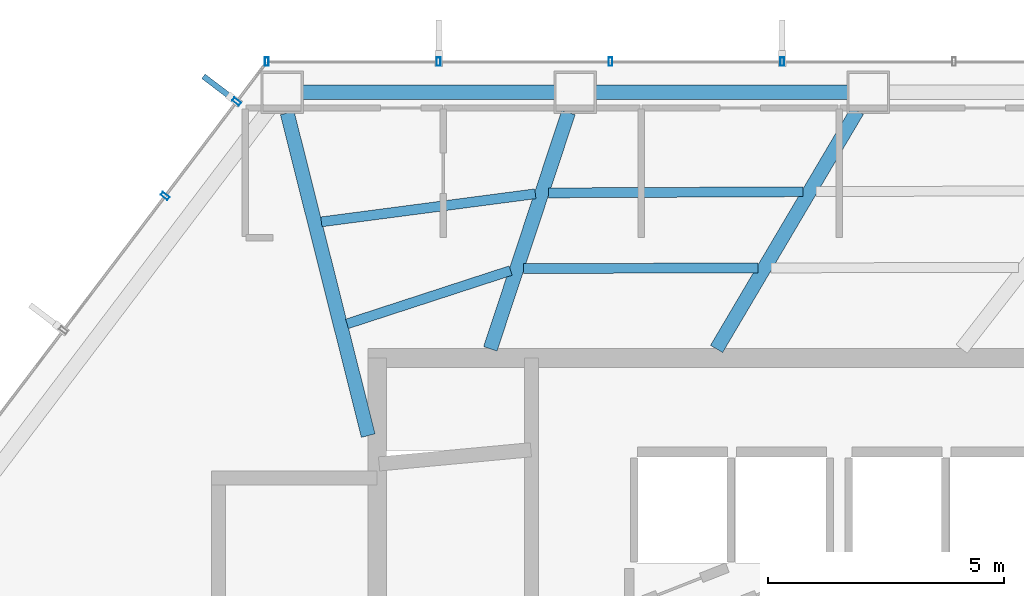
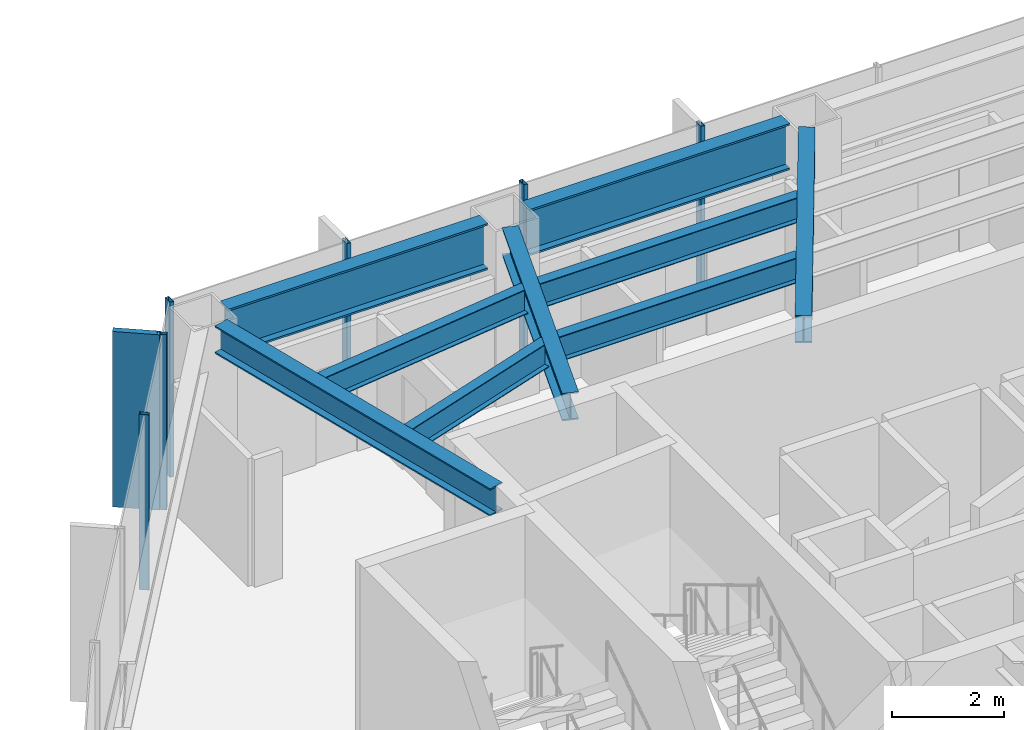
# One storey, part 11 of 24: 9 beams, 7 members, 2 elements without a shape of their own.
"""IFC4 building model written with IfcOpenShell, lengths in metres."""

import ifcopenshell
import ifcopenshell.guid

model = None  # the IFC model being written
_history = None  # IfcOwnerHistory: only IFC2X3 demands one
_inside = {}  # id of a spatial element -> (the spatial element, [elements in it])
_under = {}  # id of a project, library or spatial element -> (it, [spatial elements below it])
_declared = {}  # id of a project -> (the project, [libraries it declares])
_typed = {}  # id of a type object -> (the type object, [elements of that type])
_made_of = {}  # id of a material, layer set ... -> (it, [elements and type objects made of it])


def new_model(schema):
    """Start an empty IFC model of exactly this schema.

    Asked for "IFC4X3", IfcOpenShell would pick the latest addendum, in which some entities
    have other attributes; the version numbers below select the first issue.
    IFC2X3 requires an IfcOwnerHistory on every rooted entity: one is made here for all.
    """
    global model, _history
    if schema == "IFC4X3":
        model = ifcopenshell.file(schema_version=(4, 3, 0, 0))
    else:
        model = ifcopenshell.file(schema=schema)
    _inside.clear()
    _under.clear()
    _declared.clear()
    _typed.clear()
    _made_of.clear()
    _history = None
    if model.schema == "IFC2X3":
        org = make("IfcOrganization", Name="unknown")
        user = make(
            "IfcPersonAndOrganization",
            ThePerson=make("IfcPerson", FamilyName="unknown"),
            TheOrganization=org,
        )
        app = make(
            "IfcApplication",
            ApplicationDeveloper=org,
            Version="unknown",
            ApplicationFullName="unknown",
            ApplicationIdentifier="unknown",
        )
        _history = make(
            "IfcOwnerHistory",
            OwningUser=user,
            OwningApplication=app,
            ChangeAction="ADDED",
            CreationDate=0,
        )
    return model


def make(cls, **values):
    """One entity of the class cls with the attributes given. An attribute that is None is left unset."""
    return model.create_entity(
        cls, **{name: value for name, value in values.items() if value is not None}
    )


def rooted(cls, **values):
    """An entity with a GlobalId (a new one), such as an element, a storey or a relation."""
    return make(cls, GlobalId=ifcopenshell.guid.new(), OwnerHistory=_history, **values)


def si_unit(unit_type, name, prefix=None):
    """IfcSIUnit, for example si_unit("LENGTHUNIT", "METRE", prefix="MILLI")."""
    return make("IfcSIUnit", UnitType=unit_type, Prefix=prefix, Name=name)


def assignment(units):
    """IfcUnitAssignment: the units of a project."""
    return None if units is None else make("IfcUnitAssignment", Units=units)


def point(xyz):
    """IfcCartesianPoint."""
    return None if xyz is None else make("IfcCartesianPoint", Coordinates=xyz)


def direction(xyz):
    """IfcDirection."""
    return None if xyz is None else make("IfcDirection", DirectionRatios=xyz)


def frame(location, z_axis=None, x_axis=None):
    """IfcAxis2Placement3D, a coordinate frame: its origin and axes. An axis left out is left unset."""
    return make(
        "IfcAxis2Placement3D",
        Location=point(location),
        Axis=direction(z_axis),
        RefDirection=direction(x_axis),
    )


def frame_2d(location, x_axis=None):
    """IfcAxis2Placement2D, a coordinate frame in the plane: its origin and x axis."""
    return make(
        "IfcAxis2Placement2D", Location=point(location), RefDirection=direction(x_axis)
    )


def origin():
    """The frame at (0, 0, 0) with its axes left unset."""
    return frame((0.0, 0.0, 0.0))


def origin_2d():
    """The frame at (0, 0) in the plane with its x axis left unset."""
    return frame_2d((0.0, 0.0))


def place(relative_to, where):
    """IfcLocalPlacement: puts the frame where relative to a parent placement (None: the world)."""
    return make(
        "IfcLocalPlacement", PlacementRelTo=relative_to, RelativePlacement=where
    )


def context(
    kind, dimensions, precision=None, world=None, true_north=None, identifier=None
):
    """IfcGeometricRepresentationContext, for example the 3D "Model" context."""
    return make(
        "IfcGeometricRepresentationContext",
        ContextIdentifier=identifier,
        ContextType=kind,
        CoordinateSpaceDimension=dimensions,
        Precision=precision,
        WorldCoordinateSystem=world,
        TrueNorth=true_north,
    )


def subcontext(parent, identifier, kind, view, scale=None):
    """IfcGeometricRepresentationSubContext, for example "Body" below "Model"."""
    return make(
        "IfcGeometricRepresentationSubContext",
        ContextIdentifier=identifier,
        ContextType=kind,
        ParentContext=parent,
        TargetScale=scale,
        TargetView=view,
    )


def project(units=None, contexts=None):
    """IfcProject with its units and contexts."""
    return rooted(
        "IfcProject",
        Name="project",
        RepresentationContexts=contexts,
        UnitsInContext=assignment(units),
    )


def spatial(cls, under=None, at=None, **own):
    """A site, building, storey or space (cls), placed at a placement, below another one or the project."""
    s = rooted(cls, ObjectPlacement=at, **own)
    if under is not None:
        _under.setdefault(under.id(), (under, []))[1].append(s)
    return s


def profile(cls, at=None, kind="AREA", **sizes):
    """A parametric profile (cls). Its sizes go by their IFC names, for example OverallWidth=200.0."""
    return make(cls, ProfileType=kind, Position=at, **sizes)


def rectangle(**sizes):
    """IfcRectangleProfileDef."""
    return profile("IfcRectangleProfileDef", **sizes)


def hollow_rectangle(**sizes):
    """IfcRectangleHollowProfileDef."""
    return profile("IfcRectangleHollowProfileDef", **sizes)


def i_section(**sizes):
    """IfcIShapeProfileDef."""
    return profile("IfcIShapeProfileDef", **sizes)


def extrude(swept, where, along, depth):
    """IfcExtrudedAreaSolid: the profile swept, set in the frame where, extruded along a direction by depth."""
    return make(
        "IfcExtrudedAreaSolid",
        SweptArea=swept,
        Position=where,
        ExtrudedDirection=direction(along),
        Depth=depth,
    )


def shape(context_of_items, identifier, shape_type, items):
    """IfcShapeRepresentation: the items that make up one representation, for example the "Body"."""
    return make(
        "IfcShapeRepresentation",
        ContextOfItems=context_of_items,
        RepresentationIdentifier=identifier,
        RepresentationType=shape_type,
        Items=items,
    )


def material(Name=None, Category=None):
    """IfcMaterial."""
    return make("IfcMaterial", Name=Name, Category=Category)


def layer(
    of_material, thickness, ventilated=None, Name=None, Category=None, Priority=None
):
    """IfcMaterialLayer: one layer of a wall or slab, of a material (None: an air gap)."""
    return make(
        "IfcMaterialLayer",
        Material=of_material,
        LayerThickness=thickness,
        IsVentilated=ventilated,
        Name=Name,
        Category=Category,
        Priority=Priority,
    )


def layer_set(layers, Name=None):
    """IfcMaterialLayerSet."""
    return make("IfcMaterialLayerSet", MaterialLayers=layers, LayerSetName=Name)


def material_profile(
    of_material, cross_section, Name=None, Category=None, Priority=None
):
    """IfcMaterialProfile: a cross section and its material."""
    return make(
        "IfcMaterialProfile",
        Name=Name,
        Material=of_material,
        Profile=cross_section,
        Priority=Priority,
        Category=Category,
    )


def profile_set(profiles, Name=None, composite=None):
    """IfcMaterialProfileSet."""
    return make(
        "IfcMaterialProfileSet",
        Name=Name,
        MaterialProfiles=profiles,
        CompositeProfile=composite,
    )


def made_of(thing, what):
    """Note that an element or type object is made of a material, layer set ...; save() writes the relation."""
    if what is not None:
        _made_of.setdefault(what.id(), (what, []))[1].append(thing)
    return thing


def type_object(cls, material=None, **own):
    """A type object (cls), such as IfcWallType, which elements share."""
    return made_of(rooted(cls, **own), material)


def element(
    cls,
    number,
    at=None,
    inside=None,
    cuts=None,
    type_object=None,
    material=None,
    context=None,
    identifier="Body",
    shape_type=None,
    held_by="IfcProductDefinitionShape",
    body=None,
    shapes=None,
    **own,
):
    """One element of the class cls, such as IfcWall. Its Tag is "e" and its number.

    at: its placement. inside: the storey or other place that contains it. cuts: it is an
    opening in that element (IfcRelVoidsElement). A single representation is given by context,
    identifier, shape_type and body (its items); several are given by shapes. held_by: the class
    of the entity that holds the representations. save() writes the other relations.
    """
    e = rooted(cls, Tag="e%d" % number, ObjectPlacement=at, **own)
    if body is not None:
        shapes = [shape(context, identifier, shape_type, body)]
    if shapes is not None:
        e.Representation = make(held_by, Representations=shapes)
    if inside is not None:
        _inside.setdefault(inside.id(), (inside, []))[1].append(e)
    if cuts is not None:
        rooted(
            "IfcRelVoidsElement", RelatingBuildingElement=cuts, RelatedOpeningElement=e
        )
    if type_object is not None:
        _typed.setdefault(type_object.id(), (type_object, []))[1].append(e)
    return made_of(e, material)


def aggregate(whole, parts):
    """IfcRelAggregates: a whole, such as a stair, and the parts it consists of."""
    return rooted("IfcRelAggregates", RelatingObject=whole, RelatedObjects=parts)


def save(model, path):
    """Write the relations noted so far, then the file.

    IfcRelAggregates (storeys below a building ...), IfcRelContainedInSpatialStructure (elements
    in a storey), IfcRelDefinesByType, IfcRelAssociatesMaterial and IfcRelDeclares: one each for
    every whole, place, type object, material and project.
    """
    for whole, parts in _under.values():
        aggregate(whole, parts)
    for where, things in _inside.values():
        rooted(
            "IfcRelContainedInSpatialStructure",
            RelatedElements=things,
            RelatingStructure=where,
        )
    for kind, things in _typed.values():
        rooted("IfcRelDefinesByType", RelatedObjects=things, RelatingType=kind)
    for what, things in _made_of.values():
        rooted("IfcRelAssociatesMaterial", RelatedObjects=things, RelatingMaterial=what)
    for by, libraries in _declared.values():
        rooted("IfcRelDeclares", RelatingContext=by, RelatedDefinitions=libraries)
    model.write(path)


model = new_model("IFC4")

# Units and contexts
model_context = context("Model", 3, precision=1e-05, world=origin(), true_north=direction((0.0, 1.0)))
body_context = subcontext(model_context, "Body", "Model", "MODEL_VIEW")
ifc_project = project(units=[si_unit("LENGTHUNIT", "METRE"), si_unit("AREAUNIT", "SQUARE_METRE"), si_unit("VOLUMEUNIT", "CUBIC_METRE"), si_unit("PLANEANGLEUNIT", "RADIAN"), si_unit("MASSUNIT", "GRAM", prefix="KILO")], contexts=[model_context])

# Site, building, storey
site_placement = place(None, origin())
site = spatial("IfcSite", under=ifc_project, at=site_placement, CompositionType="ELEMENT")
building_placement = place(site_placement, origin())
building = spatial("IfcBuilding", under=site, at=building_placement, Name="Zarrinselat Tower", CompositionType="ELEMENT")
storey_placement = place(building_placement, frame((0.0, 0.0, 76.5)))
storey = spatial("IfcBuildingStorey", under=building, at=storey_placement, Name="L18", CompositionType="ELEMENT", Elevation=76.5)

# Beams
ifc_material_1 = material(Name="Steel S355J2", Category="steel")
ifc_material_profile_1 = material_profile(ifc_material_1, i_section(OverallWidth=0.300048828125, OverallDepth=0.60009765625, WebThickness=0.015380859375, FlangeThickness=0.030029296875, at=origin_2d()), Name="HEB 600")
ifc_profile_set_1 = profile_set([ifc_material_profile_1], Name="Steel S355J2")
beam_type_1 = type_object("IfcBeamType", Name="BM-HEB600", PredefinedType="BEAM", material=ifc_profile_set_1)
beam_1_placement = place(storey_placement, frame((35.800048828125, 43.639892578125, 3.52001953125), z_axis=(0.508790955784, 0.860890099439, 0.0), x_axis=(-0.860890099439, 0.508790955784, 0.0)))
element("IfcBeam", 1, at=beam_1_placement, inside=storey, type_object=beam_type_1, Name="L18 Radial Primary Girder RG03", PredefinedType="BEAM", context=body_context, shape_type="SweptSolid", body=[
    extrude(i_section(OverallWidth=0.300048828125, OverallDepth=0.60009765625, WebThickness=0.015380859375, FlangeThickness=0.030029296875, at=origin_2d()), origin(), (0.0, 0.0, 1.0), 5.870849609375),
])
beam_2_placement = place(storey_placement, frame((31.0, 43.639892578125, 3.52001953125), z_axis=(0.313813504101, 0.949484641605, 0.0), x_axis=(-0.949484641605, 0.313813504101, 0.0)))
element("IfcBeam", 2, at=beam_2_placement, inside=storey, type_object=beam_type_1, Name="L18 Radial Primary Girder RG04", PredefinedType="BEAM", context=body_context, shape_type="SweptSolid", body=[
    extrude(i_section(OverallWidth=0.300048828125, OverallDepth=0.60009765625, WebThickness=0.015380859375, FlangeThickness=0.030029296875, at=origin_2d()), origin(), (0.0, 0.0, 1.0), 5.281005859375),
])
beam_3_placement = place(storey_placement, frame((26.69140625, 48.64501953125, 3.52001953125), z_axis=(0.243504124048, -0.96989986162, 0.0), x_axis=(0.96989986162, 0.243504124048, 0.0)))
element("IfcBeam", 3, at=beam_3_placement, inside=storey, type_object=beam_type_1, Name="L18 Radial Primary Girder RG05", PredefinedType="BEAM", context=body_context, shape_type="SweptSolid", body=[
    extrude(i_section(OverallWidth=0.300048828125, OverallDepth=0.60009765625, WebThickness=0.015380859375, FlangeThickness=0.030029296875, at=origin_2d()), origin(), (0.0, 0.0, 1.0), 7.057373046875),
])
ifc_material_2 = material(Name="Steel S460M", Category="steel")
ifc_material_profile_2 = material_profile(ifc_material_2, i_section(OverallWidth=0.302001953125, OverallDepth=1.008056640625, WebThickness=0.02099609375, FlangeThickness=0.0400390625, at=origin_2d()), Name="HEM 1000")
ifc_profile_set_2 = profile_set([ifc_material_profile_2], Name="Steel S460M")
beam_type_2 = type_object("IfcBeamType", Name="BM-HEM1000", PredefinedType="BEAM", material=ifc_profile_set_2)
for number, where, z_axis, x_axis, name in (
    (4, (33.2373046875, 49.083251953125, 3.31591796875), (1.0, 0.0, 0.0), (0.0, 1.0, 0.0), "L18 Perimeter Spandrel Girder SP03"),
    (5, (27.019287109375, 49.083251953125, 3.31591796875), (1.0, 0.0, 0.0), (0.0, 1.0, 0.0), "L18 Perimeter Spandrel Girder SP04"),
):
    element("IfcBeam", number, at=place(storey_placement, frame(where, z_axis=z_axis, x_axis=x_axis)), inside=storey, type_object=beam_type_2, Name=name, PredefinedType="BEAM", context=body_context, shape_type="SweptSolid", body=[
        extrude(i_section(OverallWidth=0.302001953125, OverallDepth=1.008056640625, WebThickness=0.02099609375, FlangeThickness=0.0400390625, at=origin_2d()), origin(), (0.0, 0.0, 1.0), 5.341796875),
    ])
ifc_material_3 = material(Name="Steel S355J2", Category="steel")
ifc_material_profile_3 = material_profile(ifc_material_3, i_section(OverallWidth=0.2099609375, OverallDepth=0.550048828125, WebThickness=0.010986328125, FlangeThickness=0.01708984375, at=origin_2d()), Name="IPE 550")
ifc_profile_set_3 = profile_set([ifc_material_profile_3], Name="Steel S355J2")
beam_type_3 = type_object("IfcBeamType", Name="BM-IPE550", PredefinedType="JOIST", material=ifc_profile_set_3)
beam_4_placement = place(storey_placement, frame((32.23388671875, 46.949951171875, 3.544921875), z_axis=(0.999989148265, 0.004658685706, 0.0), x_axis=(-0.004658685706, 0.999989148265, 0.0)))
element("IfcBeam", 6, at=beam_4_placement, inside=storey, type_object=beam_type_3, Name="L18 Composite Floor Joist 9-1", PredefinedType="JOIST", context=body_context, shape_type="SweptSolid", body=[
    extrude(i_section(OverallWidth=0.2099609375, OverallDepth=0.550048828125, WebThickness=0.010986328125, FlangeThickness=0.01708984375, at=origin_2d()), origin(), (0.0, 0.0, 1.0), 5.397705078125),
])
beam_5_placement = place(storey_placement, frame((31.70361328125, 45.34521484375, 3.544921875), z_axis=(0.999996613503, 0.002602495483, 0.0), x_axis=(-0.002602495483, 0.999996613503, 0.0)))
element("IfcBeam", 7, at=beam_5_placement, inside=storey, type_object=beam_type_3, Name="L18 Composite Floor Joist 9-2", PredefinedType="JOIST", context=body_context, shape_type="SweptSolid", body=[
    extrude(i_section(OverallWidth=0.2099609375, OverallDepth=0.550048828125, WebThickness=0.010986328125, FlangeThickness=0.01708984375, at=origin_2d()), origin(), (0.0, 0.0, 1.0), 4.971923828125),
])
beam_6_placement = place(storey_placement, frame((27.41455078125, 46.335693359375, 3.544921875), z_axis=(0.991510094003, 0.130029740793, 0.0), x_axis=(-0.130029740793, 0.991510094003, 0.0)))
element("IfcBeam", 8, at=beam_6_placement, inside=storey, type_object=beam_type_3, Name="L18 Composite Floor Joist 10-1", PredefinedType="JOIST", context=body_context, shape_type="SweptSolid", body=[
    extrude(i_section(OverallWidth=0.2099609375, OverallDepth=0.550048828125, WebThickness=0.010986328125, FlangeThickness=0.01708984375, at=origin_2d()), origin(), (0.0, 0.0, 1.0), 4.579345703125),
])
beam_7_placement = place(storey_placement, frame((27.958740234375, 44.170654296875, 3.544921875), z_axis=(0.950827477047, 0.30972101784, 0.0), x_axis=(-0.30972101784, 0.950827477047, 0.0)))
element("IfcBeam", 9, at=beam_7_placement, inside=storey, type_object=beam_type_3, Name="L18 Composite Floor Joist 10-2", PredefinedType="JOIST", context=body_context, shape_type="SweptSolid", body=[
    extrude(i_section(OverallWidth=0.2099609375, OverallDepth=0.550048828125, WebThickness=0.010986328125, FlangeThickness=0.01708984375, at=origin_2d()), origin(), (0.0, 0.0, 1.0), 3.651123046875),
])

# Curtain wall, members
ifc_material_4 = material(Name="Extruded Aluminium Alloy EN AW-6063 T6", Category="aluminium")
ifc_layer = layer(ifc_material_4, 0.18505859375)
ifc_layer_set = layer_set([ifc_layer], Name="Extruded Aluminium Alloy EN AW-6063 T6")
curtain_wall_type = type_object("IfcCurtainWallType", Name="CWS-OFF", PredefinedType="NOTDEFINED", material=ifc_layer_set)
curtain_wall_1_placement = place(storey_placement, origin())
curtain_wall_1 = element("IfcCurtainWall", 10, at=curtain_wall_1_placement, inside=storey, type_object=curtain_wall_type, Name="L18 Unitised Curtain Wall CW-L18-E01", PredefinedType="NOTDEFINED")
ifc_material_5 = material(Name="Extruded Aluminium Alloy EN AW-6063 T6", Category="aluminium")
ifc_material_profile_4 = material_profile(ifc_material_5, hollow_rectangle(XDim=0.080078125, YDim=0.179931640625, WallThickness=0.0048828125, at=origin_2d()), Name="RHS 180x80x5")
ifc_profile_set_4 = profile_set([ifc_material_profile_4], Name="Extruded Aluminium Alloy EN AW-6063 T6")
member_type_1 = type_object("IfcMemberType", Name="MEM-CW-MUL", PredefinedType="MULLION", material=ifc_profile_set_4)
member_1_placement = place(storey_placement, frame((37.194580078125, 49.7333984375, 0.0), z_axis=(0.0, 0.0, 1.0), x_axis=(-1.0, 0.0, 0.0)))
member_1 = element("IfcMember", 11, at=member_1_placement, type_object=member_type_1, Name="CW-L18-E01 Mullion 5", PredefinedType="MULLION", context=body_context, shape_type="SweptSolid", body=[
    extrude(hollow_rectangle(XDim=0.080078125, YDim=0.179931640625, WallThickness=0.0048828125, at=origin_2d()), origin(), (0.0, 0.0, 1.0), 3.820068359375),
])
member_2_placement = place(storey_placement, frame((33.549072265625, 49.7333984375, 0.0), z_axis=(0.0, 0.0, 1.0), x_axis=(-1.0, 0.0, 0.0)))
member_2 = element("IfcMember", 12, at=member_2_placement, type_object=member_type_1, Name="CW-L18-E01 Mullion 6", PredefinedType="MULLION", context=body_context, shape_type="SweptSolid", body=[
    extrude(hollow_rectangle(XDim=0.080078125, YDim=0.179931640625, WallThickness=0.0048828125, at=origin_2d()), origin(), (0.0, 0.0, 1.0), 3.820068359375),
])
member_3_placement = place(storey_placement, frame((29.903564453125, 49.7333984375, 0.0), z_axis=(0.0, 0.0, 1.0), x_axis=(-1.0, 0.0, 0.0)))
member_3 = element("IfcMember", 13, at=member_3_placement, type_object=member_type_1, Name="CW-L18-E01 Mullion 7", PredefinedType="MULLION", context=body_context, shape_type="SweptSolid", body=[
    extrude(hollow_rectangle(XDim=0.080078125, YDim=0.179931640625, WallThickness=0.0048828125, at=origin_2d()), origin(), (0.0, 0.0, 1.0), 3.820068359375),
])
member_4_placement = place(storey_placement, frame((26.25830078125, 49.7333984375, 0.0), z_axis=(0.0, 0.0, 1.0), x_axis=(-1.0, 0.0, 0.0)))
member_4 = element("IfcMember", 14, at=member_4_placement, type_object=member_type_1, Name="CW-L18-E01 Mullion 8", PredefinedType="MULLION", context=body_context, shape_type="SweptSolid", body=[
    extrude(hollow_rectangle(XDim=0.080078125, YDim=0.179931640625, WallThickness=0.0048828125, at=origin_2d()), origin(), (0.0, 0.0, 1.0), 3.820068359375),
])
aggregate(curtain_wall_1, [member_1, member_2, member_3, member_4])

curtain_wall_2_placement = place(storey_placement, origin())
curtain_wall_2 = element("IfcCurtainWall", 15, at=curtain_wall_2_placement, inside=storey, type_object=curtain_wall_type, Name="L18 Unitised Curtain Wall CW-L18-E02", PredefinedType="NOTDEFINED")
member_5_placement = place(storey_placement, frame((25.617919921875, 48.887939453125, 0.0), z_axis=(0.0, 0.0, 1.0), x_axis=(-0.60385671849, -0.797092882627, 0.0)))
member_5 = element("IfcMember", 16, at=member_5_placement, type_object=member_type_1, Name="CW-L18-E02 Mullion 1", PredefinedType="MULLION", context=body_context, shape_type="SweptSolid", body=[
    extrude(hollow_rectangle(XDim=0.080078125, YDim=0.179931640625, WallThickness=0.0048828125, at=origin_2d()), origin(), (0.0, 0.0, 1.0), 3.820068359375),
])
member_6_placement = place(storey_placement, frame((24.099609375, 46.884033203125, 0.0), z_axis=(0.0, 0.0, 1.0), x_axis=(-0.60385671849, -0.797092882627, 0.0)))
member_6 = element("IfcMember", 17, at=member_6_placement, type_object=member_type_1, Name="CW-L18-E02 Mullion 2", PredefinedType="MULLION", context=body_context, shape_type="SweptSolid", body=[
    extrude(hollow_rectangle(XDim=0.080078125, YDim=0.179931640625, WallThickness=0.0048828125, at=origin_2d()), origin(), (0.0, 0.0, 1.0), 3.820068359375),
])
ifc_material_6 = material(Name="Honed Cream Travertine Stone", Category="masonry")
ifc_material_profile_5 = material_profile(ifc_material_6, rectangle(XDim=0.1201171875, YDim=0.85009765625, at=origin_2d()), Name="FIN 850x120")
ifc_profile_set_5 = profile_set([ifc_material_profile_5], Name="Honed Cream Travertine Stone")
member_type_2 = type_object("IfcMemberType", Name="MEM-STONE-FIN", PredefinedType="USERDEFINED", material=ifc_profile_set_5)
member_7_placement = place(storey_placement, frame((25.251220703125, 49.165771484375, 0.0), z_axis=(0.0, 0.0, 1.0), x_axis=(0.60385671849, 0.797092882627, 0.0)))
member_7 = element("IfcMember", 18, at=member_7_placement, type_object=member_type_2, Name="L18 Stone Shading Fin CW-L18-E02-01", ObjectType="FIN", PredefinedType="USERDEFINED", context=body_context, shape_type="SweptSolid", body=[
    extrude(rectangle(XDim=0.1201171875, YDim=0.85009765625, at=origin_2d()), origin(), (0.0, 0.0, 1.0), 3.820068359375),
])
aggregate(curtain_wall_2, [member_5, member_7, member_6])

save(model, "model.ifc")
